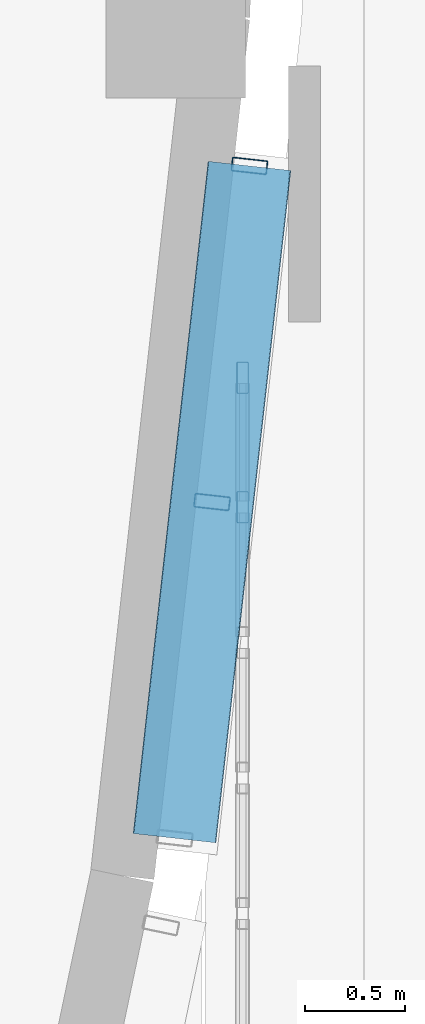
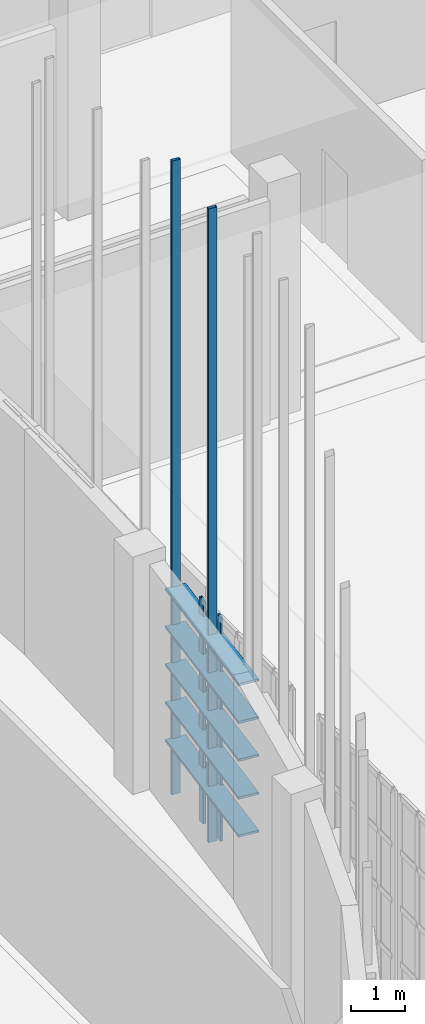
# One storey, part 279 of 372: 9 members, 1 element without a shape of its own.
"""IFC4 building model written with IfcOpenShell, lengths in metres."""

from ifc_helpers import new_model, si_unit, direction, frame, origin, origin_2d, place, context, subcontext, project, spatial, hollow_rectangle, extrude, material, material_profile, profile_set, type_object, element, aggregate, save


model = new_model("IFC4")

# Units and contexts
model_context = context("Model", 3, precision=1e-05, world=origin(), true_north=direction((0.0, 1.0)))
body_context = subcontext(model_context, "Body", "Model", "MODEL_VIEW")
ifc_project = project(units=[si_unit("LENGTHUNIT", "METRE"), si_unit("AREAUNIT", "SQUARE_METRE"), si_unit("VOLUMEUNIT", "CUBIC_METRE"), si_unit("PLANEANGLEUNIT", "RADIAN"), si_unit("MASSUNIT", "GRAM", prefix="KILO")], contexts=[model_context])

# Site, building, storey
site_placement = place(None, origin())
site = spatial("IfcSite", under=ifc_project, at=site_placement, CompositionType="ELEMENT")
building_placement = place(site_placement, origin())
building = spatial("IfcBuilding", under=site, at=building_placement, Name="Kaelora Sail Theatre", CompositionType="ELEMENT")
storey_placement = place(building_placement, origin())
storey = spatial("IfcBuildingStorey", under=building, at=storey_placement, Name="L00", CompositionType="ELEMENT", Elevation=0.0)

# Members
ifc_material_1 = material(Name="Anodised aluminium 6063-T6", Category="aluminium")
ifc_material_profile_1 = material_profile(ifc_material_1, hollow_rectangle(XDim=0.419921875, YDim=0.054931640625, WallThickness=0.00390625, InnerFilletRadius=0.00390625, OuterFilletRadius=0.008056640625, at=origin_2d()), Name="LOUVRE 420x55x4")
ifc_profile_set_1 = profile_set([ifc_material_profile_1], Name="Anodised aluminium 6063-T6")
member_type_1 = type_object("IfcMemberType", Name="ARC-MEM-LVR-420", PredefinedType="USERDEFINED", material=ifc_profile_set_1)
for number, where, z_axis, x_axis, name in (
    (1, (147.5244140625, 43.63330078125, 1.25), (-0.110715587532, -0.993852131193, 0.0), (0.993852131193, -0.110715587532, 0.0), "Black-Box and Experimental Sail Wing horizontal solar louvre C3-01"),
    (2, (147.5244140625, 43.63330078125, 2.110107421875), (-0.110715587532, -0.993852131193, 0.0), (0.993852131193, -0.110715587532, 0.0), "Black-Box and Experimental Sail Wing horizontal solar louvre C3-02"),
    (3, (147.5244140625, 43.63330078125, 2.969970703125), (-0.110715587532, -0.993852131193, 0.0), (0.993852131193, -0.110715587532, 0.0), "Black-Box and Experimental Sail Wing horizontal solar louvre C3-03"),
    (4, (147.5244140625, 43.63330078125, 3.830078125), (-0.110715587532, -0.993852131193, 0.0), (0.993852131193, -0.110715587532, 0.0), "Black-Box and Experimental Sail Wing horizontal solar louvre C3-04"),
    (5, (147.5244140625, 43.63330078125, 4.68994140625), (-0.110715587532, -0.993852131193, 0.0), (0.993852131193, -0.110715587532, 0.0), "Black-Box and Experimental Sail Wing horizontal solar louvre C3-05"),
):
    element("IfcMember", number, at=place(storey_placement, frame(where, z_axis=z_axis, x_axis=x_axis)), inside=storey, type_object=member_type_1, Name=name, ObjectType="LOUVRE", PredefinedType="USERDEFINED", context=body_context, shape_type="SweptSolid", body=[
        extrude(hollow_rectangle(XDim=0.419921875, YDim=0.054931640625, WallThickness=0.00390625, InnerFilletRadius=0.00390625, OuterFilletRadius=0.008056640625, at=origin_2d()), origin(), (0.0, 0.0, 1.0), 3.39599609375),
    ])

# Curtain wall, members
ifc_material_2 = material(Name="Anodised aluminium and solar-control low-E IGU", Category="aluminium")
curtain_wall_type = type_object("IfcCurtainWallType", Name="ARC-CW-CW-FOY2", PredefinedType="NOTDEFINED", material=ifc_material_2)
curtain_wall_placement = place(storey_placement, origin())
curtain_wall = element("IfcCurtainWall", 6, at=curtain_wall_placement, inside=storey, type_object=curtain_wall_type, Name="Glazed Colonnade/Courtyard Curtain Wall COLE-W-L00-03", PredefinedType="NOTDEFINED")
ifc_material_3 = material(Name="Anodised aluminium 6063-T6", Category="aluminium")
ifc_material_profile_2 = material_profile(ifc_material_3, hollow_rectangle(XDim=0.06005859375, YDim=0.159912109375, WallThickness=0.00390625, InnerFilletRadius=0.00390625, OuterFilletRadius=0.008056640625, at=origin_2d()), Name="ALU-MULL 60x160x4")
ifc_profile_set_2 = profile_set([ifc_material_profile_2], Name="Anodised aluminium 6063-T6")
member_type_2 = type_object("IfcMemberType", Name="ARC-MEM-ML-160", PredefinedType="MULLION", material=ifc_profile_set_2)
member_1_placement = place(storey_placement, frame((147.489990234375, 41.919921875, 0.0), z_axis=(0.0, 0.0, 1.0), x_axis=(-1.0, 0.0, 0.0)))
member_1 = element("IfcMember", 7, at=member_1_placement, type_object=member_type_2, Name="CW-FOY2 mullion 5", PredefinedType="MULLION", context=body_context, shape_type="SweptSolid", body=[
    extrude(hollow_rectangle(XDim=0.06005859375, YDim=0.159912109375, WallThickness=0.00390625, InnerFilletRadius=0.00390625, OuterFilletRadius=0.008056640625, at=origin_2d()), origin(), (0.0, 0.0, 1.0), 5.0849609375),
])
member_2_placement = place(storey_placement, frame((147.489990234375, 42.570068359375, 0.0), z_axis=(0.0, 0.0, 1.0), x_axis=(-1.0, 0.0, 0.0)))
member_2 = element("IfcMember", 8, at=member_2_placement, type_object=member_type_2, Name="CW-FOY2 mullion 6", PredefinedType="MULLION", context=body_context, shape_type="SweptSolid", body=[
    extrude(hollow_rectangle(XDim=0.06005859375, YDim=0.159912109375, WallThickness=0.00390625, InnerFilletRadius=0.00390625, OuterFilletRadius=0.008056640625, at=origin_2d()), origin(), (0.0, 0.0, 1.0), 5.0849609375),
])
aggregate(curtain_wall, [member_1, member_2])

# Members
ifc_material_4 = material(Name="Anodised aluminium 6063-T6", Category="aluminium")
ifc_material_profile_3 = material_profile(ifc_material_4, hollow_rectangle(XDim=0.070068359375, YDim=0.179931640625, WallThickness=0.00390625, InnerFilletRadius=0.00390625, OuterFilletRadius=0.008056640625, at=origin_2d()), Name="ALU-MULL 70x180x4")
ifc_profile_set_3 = profile_set([ifc_material_profile_3], Name="Anodised aluminium 6063-T6")
member_type_3 = type_object("IfcMemberType", Name="ARC-MEM-PST-160", PredefinedType="POST", material=ifc_profile_set_3)
for number, where, z_axis, x_axis, name in (
    (9, (147.5244140625, 43.63330078125, 0.0), (0.0, 0.0, 1.0), (-0.110775124211, -0.993845496974, 0.0), "Black-Box and Experimental Sail Wing solar louvre vertical support post C3-1"),
    (10, (147.33642578125, 41.94580078125, 0.0), (0.0, 0.0, 1.0), (-0.110775124211, -0.993845496974, 0.0), "Black-Box and Experimental Sail Wing solar louvre vertical support post C3-2"),
):
    element("IfcMember", number, at=place(storey_placement, frame(where, z_axis=z_axis, x_axis=x_axis)), inside=storey, type_object=member_type_3, Name=name, PredefinedType="POST", context=body_context, shape_type="SweptSolid", body=[
        extrude(hollow_rectangle(XDim=0.070068359375, YDim=0.179931640625, WallThickness=0.00390625, InnerFilletRadius=0.00390625, OuterFilletRadius=0.008056640625, at=origin_2d()), origin(), (0.0, 0.0, 1.0), 14.404541015625),
    ])

save(model, "model.ifc")
